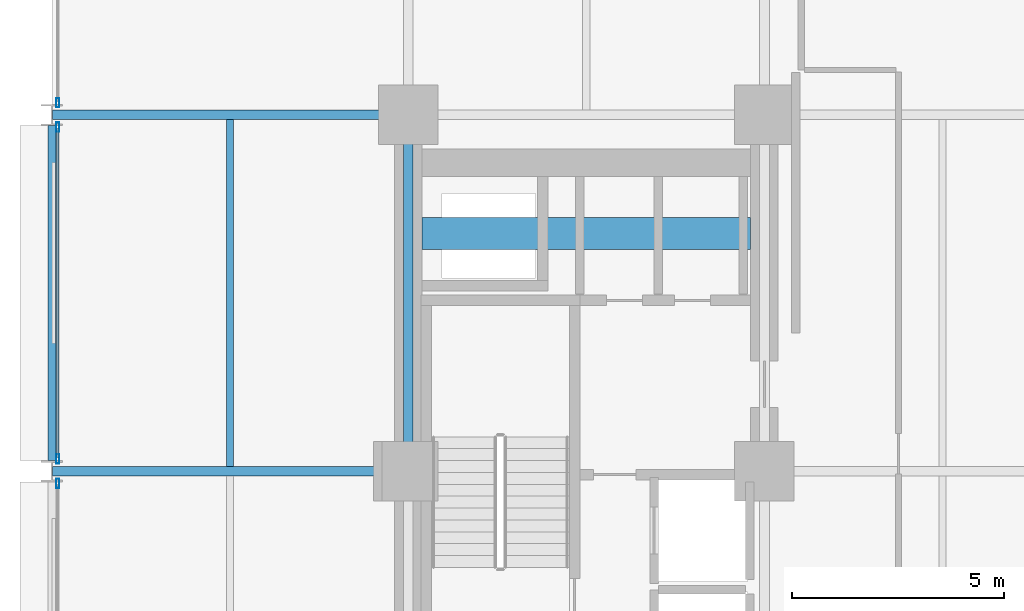
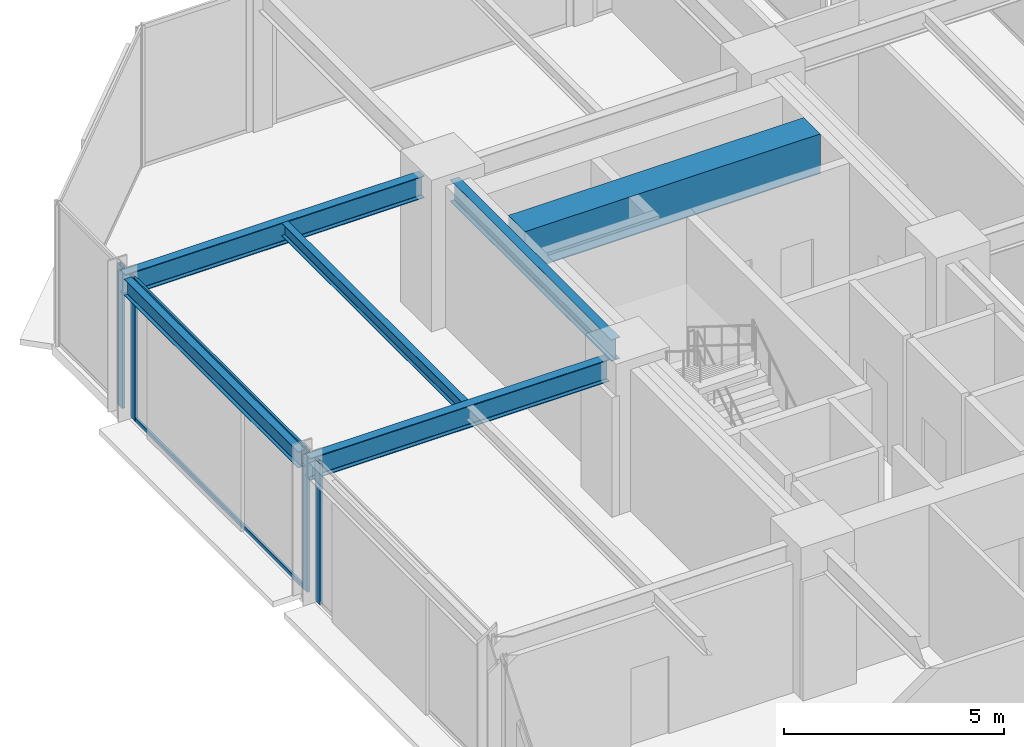
# One storey, part 14 of 25: 6 beams, 6 members, 3 elements without a shape of their own.
"""IFC4 building model written with IfcOpenShell, lengths in metres."""

from ifc_helpers import new_model, si_unit, direction, frame, origin, origin_2d, place, context, subcontext, project, spatial, rectangle, hollow_rectangle, i_section, extrude, material, layer, layer_set, material_profile, profile_set, type_object, element, aggregate, save


model = new_model("IFC4")

# Units and contexts
model_context = context("Model", 3, precision=1e-05, world=origin(), true_north=direction((0.0, 1.0)))
body_context = subcontext(model_context, "Body", "Model", "MODEL_VIEW")
ifc_project = project(units=[si_unit("LENGTHUNIT", "METRE"), si_unit("AREAUNIT", "SQUARE_METRE"), si_unit("VOLUMEUNIT", "CUBIC_METRE"), si_unit("PLANEANGLEUNIT", "RADIAN"), si_unit("MASSUNIT", "GRAM", prefix="KILO")], contexts=[model_context])

# Site, building, storey
site_placement = place(None, origin())
site = spatial("IfcSite", under=ifc_project, at=site_placement, CompositionType="ELEMENT")
building_placement = place(site_placement, origin())
building = spatial("IfcBuilding", under=site, at=building_placement, Name="Nerrivon Quay Data Exchange", CompositionType="ELEMENT")
storey_placement = place(building_placement, frame((0.0, 0.0, 41.60009765625)))
storey = spatial("IfcBuildingStorey", under=building, at=storey_placement, Name="L09", CompositionType="ELEMENT", Elevation=41.60009765625)

# Beams
ifc_material_1 = material(Name="Concrete S65 (65 MPa)", Category="concrete")
ifc_material_profile_1 = material_profile(ifc_material_1, rectangle(XDim=0.75, YDim=1.10009765625, at=origin_2d()), Name="RC-CB-750x1100")
ifc_profile_set_1 = profile_set([ifc_material_profile_1], Name="Concrete S65 (65 MPa)")
beam_type_1 = type_object("IfcBeamType", Name="BM-CB1-750x1100", PredefinedType="LINTEL", material=ifc_profile_set_1)
beam_1_placement = place(storey_placement, frame((8.72509765625, 39.199951171875, 3.375), z_axis=(1.0, 0.0, 0.0), x_axis=(0.0, 1.0, 0.0)))
element("IfcBeam", 1, at=beam_1_placement, inside=storey, type_object=beam_type_1, Name="L09 West Core Coupling Beam", PredefinedType="LINTEL", context=body_context, shape_type="SweptSolid", body=[
    extrude(rectangle(XDim=0.75, YDim=1.10009765625, at=origin_2d()), origin(), (0.0, 0.0, 1.0), 7.75),
])
ifc_material_2 = material(Name="Steel Grade 350", Category="steel")
ifc_material_profile_2 = material_profile(ifc_material_2, i_section(OverallWidth=0.22900390625, OverallDepth=0.612060546875, WebThickness=0.011962890625, FlangeThickness=0.01953125, FilletRadius=0.013916015625, at=origin_2d()), Name="610UB125")
ifc_profile_set_2 = profile_set([ifc_material_profile_2], Name="Steel Grade 350")
beam_type_2 = type_object("IfcBeamType", Name="BM-G1-610UB125", PredefinedType="BEAM", material=ifc_profile_set_2)
for number, where, z_axis, x_axis, name in (
    (2, (0.013916015625, 33.60009765625, 3.618896484375), (1.0, 0.0, 0.0), (0.0, 1.0, 0.0), "L09 EW Girder Y=33.6 (0.0..8.4)"),
    (3, (0.013916015625, 42.0, 3.618896484375), (1.0, 0.0, 0.0), (0.0, 1.0, 0.0), "L09 EW Girder Y=42.0 (0.0..8.4)"),
):
    element("IfcBeam", number, at=place(storey_placement, frame(where, z_axis=z_axis, x_axis=x_axis)), inside=storey, type_object=beam_type_2, Name=name, PredefinedType="BEAM", context=body_context, shape_type="SweptSolid", body=[
        extrude(i_section(OverallWidth=0.22900390625, OverallDepth=0.612060546875, WebThickness=0.011962890625, FlangeThickness=0.01953125, FilletRadius=0.013916015625, at=origin_2d()), origin(), (0.0, 0.0, 1.0), 7.84619140625),
    ])
ifc_material_profile_3 = material_profile(ifc_material_2, i_section(OverallWidth=0.22802734375, OverallDepth=0.60205078125, WebThickness=0.010498046875, FlangeThickness=0.014892578125, FilletRadius=0.013916015625, at=origin_2d()), Name="610UB101")
ifc_profile_set_3 = profile_set([ifc_material_profile_3], Name="Steel Grade 350")
beam_type_3 = type_object("IfcBeamType", Name="BM-G2-610UB101", PredefinedType="BEAM", material=ifc_profile_set_3)
beam_2_placement = place(storey_placement, frame((8.39990234375, 34.139892578125, 3.6240234375), z_axis=(0.0, 1.0, 0.0), x_axis=(-1.0, 0.0, 0.0)))
element("IfcBeam", 4, at=beam_2_placement, inside=storey, type_object=beam_type_3, Name="L09 NS Girder X=8.4 (33.6..42.0)", PredefinedType="BEAM", context=body_context, shape_type="SweptSolid", body=[
    extrude(i_section(OverallWidth=0.22802734375, OverallDepth=0.60205078125, WebThickness=0.010498046875, FlangeThickness=0.014892578125, FilletRadius=0.013916015625, at=origin_2d()), origin(), (0.0, 0.0, 1.0), 7.320068359375),
])
ifc_material_profile_4 = material_profile(ifc_material_2, i_section(OverallWidth=0.172119140625, OverallDepth=0.35888671875, WebThickness=0.008056640625, FlangeThickness=0.012939453125, FilletRadius=0.011474609375, at=origin_2d()), Name="360UB56.7")
ifc_profile_set_4 = profile_set([ifc_material_profile_4], Name="Steel Grade 350")
beam_type_4 = type_object("IfcBeamType", Name="BM-J3-360UB57", PredefinedType="JOIST", material=ifc_profile_set_4)
beam_3_placement = place(storey_placement, frame((4.199951171875, 33.714599609375, 3.745361328125), z_axis=(0.0, 1.0, 0.0), x_axis=(-1.0, 0.0, 0.0)))
element("IfcBeam", 5, at=beam_3_placement, inside=storey, type_object=beam_type_4, Name="L09 Secondary Joist X=4.2 (33.6..42.0)", PredefinedType="JOIST", context=body_context, shape_type="SweptSolid", body=[
    extrude(i_section(OverallWidth=0.172119140625, OverallDepth=0.35888671875, WebThickness=0.008056640625, FlangeThickness=0.012939453125, FilletRadius=0.011474609375, at=origin_2d()), origin(), (0.0, 0.0, 1.0), 8.1708984375),
])
ifc_material_profile_5 = material_profile(ifc_material_2, i_section(OverallWidth=0.18994140625, OverallDepth=0.4541015625, WebThickness=0.008544921875, FlangeThickness=0.0126953125, FilletRadius=0.011474609375, at=origin_2d()), Name="460UB67.1")
ifc_profile_set_5 = profile_set([ifc_material_profile_5], Name="Steel Grade 350")
beam_type_5 = type_object("IfcBeamType", Name="BM-SP1-460UB67", PredefinedType="SPANDREL", material=ifc_profile_set_5)
beam_4_placement = place(storey_placement, frame((0.0, 33.85009765625, 3.697998046875), z_axis=(0.0, 1.0, 0.0), x_axis=(-1.0, 0.0, 0.0)))
element("IfcBeam", 6, at=beam_4_placement, inside=storey, type_object=beam_type_5, Name="L09 NS Girder X=0.0 (33.6..42.0)", PredefinedType="SPANDREL", context=body_context, shape_type="SweptSolid", body=[
    extrude(i_section(OverallWidth=0.18994140625, OverallDepth=0.4541015625, WebThickness=0.008544921875, FlangeThickness=0.0126953125, FilletRadius=0.011474609375, at=origin_2d()), origin(), (0.0, 0.0, 1.0), 7.89990234375),
])

# Curtain wall, member
ifc_material_3 = material(Name="Anodised aluminium 6063-T6", Category="aluminium")
ifc_layer = layer(ifc_material_3, 0.219970703125)
ifc_layer_set = layer_set([ifc_layer], Name="Anodised aluminium 6063-T6")
curtain_wall_type = type_object("IfcCurtainWallType", Name="CW-SYS-01", PredefinedType="NOTDEFINED", material=ifc_layer_set)
curtain_wall_1_placement = place(storey_placement, origin())
curtain_wall_1 = element("IfcCurtainWall", 7, at=curtain_wall_1_placement, inside=storey, type_object=curtain_wall_type, Name="L09 Unitised Curtain Wall 16", PredefinedType="NOTDEFINED")
ifc_material_profile_6 = material_profile(ifc_material_3, hollow_rectangle(XDim=0.074951171875, YDim=0.219970703125, WallThickness=0.00390625, at=origin_2d()), Name="ALU-MULL-220x75")
ifc_profile_set_6 = profile_set([ifc_material_profile_6], Name="Anodised aluminium 6063-T6")
member_type_1 = type_object("IfcMemberType", Name="CWM-220x75", PredefinedType="MULLION", material=ifc_profile_set_6)
member_1_placement = place(storey_placement, frame((0.139892578125, 33.3125, 0.0), z_axis=(0.0, 0.0, 1.0), x_axis=(-1.0, 0.0, 0.0)))
member_1 = element("IfcMember", 8, at=member_1_placement, type_object=member_type_1, Name="CW01 mullion 2", PredefinedType="MULLION", context=body_context, shape_type="SweptSolid", body=[
    extrude(hollow_rectangle(XDim=0.074951171875, YDim=0.219970703125, WallThickness=0.00390625, at=origin_2d()), origin(), (0.0, 0.0, 1.0), 3.9248046875),
])
aggregate(curtain_wall_1, [member_1])

# Curtain wall, members
curtain_wall_2_placement = place(storey_placement, origin())
curtain_wall_2 = element("IfcCurtainWall", 9, at=curtain_wall_2_placement, inside=storey, type_object=curtain_wall_type, Name="L09 Unitised Curtain Wall 17", PredefinedType="NOTDEFINED")
member_2_placement = place(storey_placement, frame((0.139892578125, 33.887451171875, 0.0), z_axis=(0.0, 0.0, 1.0), x_axis=(-1.0, 0.0, 0.0)))
member_2 = element("IfcMember", 10, at=member_2_placement, type_object=member_type_1, Name="CW01 mullion 1", PredefinedType="MULLION", context=body_context, shape_type="SweptSolid", body=[
    extrude(hollow_rectangle(XDim=0.074951171875, YDim=0.219970703125, WallThickness=0.00390625, at=origin_2d()), origin(), (0.0, 0.0, 1.0), 3.9248046875),
])
member_3_placement = place(storey_placement, frame((0.139892578125, 41.71240234375, 0.0), z_axis=(0.0, 0.0, 1.0), x_axis=(-1.0, 0.0, 0.0)))
member_3 = element("IfcMember", 11, at=member_3_placement, type_object=member_type_1, Name="CW01 mullion 2", PredefinedType="MULLION", context=body_context, shape_type="SweptSolid", body=[
    extrude(hollow_rectangle(XDim=0.074951171875, YDim=0.219970703125, WallThickness=0.00390625, at=origin_2d()), origin(), (0.0, 0.0, 1.0), 3.9248046875),
])

# Curtain wall, member
curtain_wall_3_placement = place(storey_placement, origin())
curtain_wall_3 = element("IfcCurtainWall", 12, at=curtain_wall_3_placement, inside=storey, type_object=curtain_wall_type, Name="L09 Unitised Curtain Wall 18", PredefinedType="NOTDEFINED")
member_4_placement = place(storey_placement, frame((0.139892578125, 42.28759765625, 0.0), z_axis=(0.0, 0.0, 1.0), x_axis=(-1.0, 0.0, 0.0)))
member_4 = element("IfcMember", 13, at=member_4_placement, type_object=member_type_1, Name="CW01 mullion 1", PredefinedType="MULLION", context=body_context, shape_type="SweptSolid", body=[
    extrude(hollow_rectangle(XDim=0.074951171875, YDim=0.219970703125, WallThickness=0.00390625, at=origin_2d()), origin(), (0.0, 0.0, 1.0), 3.9248046875),
])
aggregate(curtain_wall_3, [member_4])

# Member
ifc_material_profile_7 = material_profile(ifc_material_3, hollow_rectangle(XDim=0.06005859375, YDim=0.1201171875, WallThickness=0.003173828125, at=origin_2d()), Name="ALU-TRAN-120x60")
ifc_profile_set_7 = profile_set([ifc_material_profile_7], Name="Anodised aluminium 6063-T6")
member_type_2 = type_object("IfcMemberType", Name="CWT-120x60", PredefinedType="USERDEFINED", material=ifc_profile_set_7)
member_5_placement = place(storey_placement, frame((0.139892578125, 33.925048828125, 0.032470703125), z_axis=(0.0, 1.0, 0.0), x_axis=(-1.0, 0.0, 0.0)))
member_5 = element("IfcMember", 14, at=member_5_placement, type_object=member_type_2, Name="CW01 transom 1.1", ObjectType="TRANSOM", PredefinedType="USERDEFINED", context=body_context, shape_type="SweptSolid", body=[
    extrude(hollow_rectangle(XDim=0.06005859375, YDim=0.1201171875, WallThickness=0.003173828125, at=origin_2d()), origin(), (0.0, 0.0, 1.0), 7.75),
])

member_6_placement = place(storey_placement, frame((0.139892578125, 33.925048828125, 3.892333984375), z_axis=(0.0, 1.0, 0.0), x_axis=(-1.0, 0.0, 0.0)))
member_6 = element("IfcMember", 15, at=member_6_placement, type_object=member_type_2, Name="CW01 transom 1.2", ObjectType="TRANSOM", PredefinedType="USERDEFINED", context=body_context, shape_type="SweptSolid", body=[
    extrude(hollow_rectangle(XDim=0.06005859375, YDim=0.1201171875, WallThickness=0.003173828125, at=origin_2d()), origin(), (0.0, 0.0, 1.0), 7.75),
])

aggregate(curtain_wall_2, [member_2, member_3, member_5, member_6])

save(model, "model.ifc")
